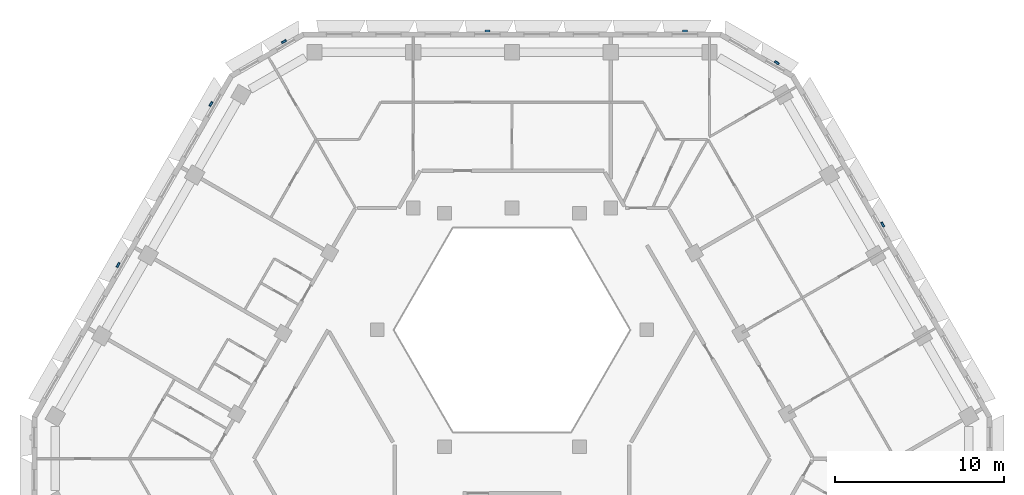
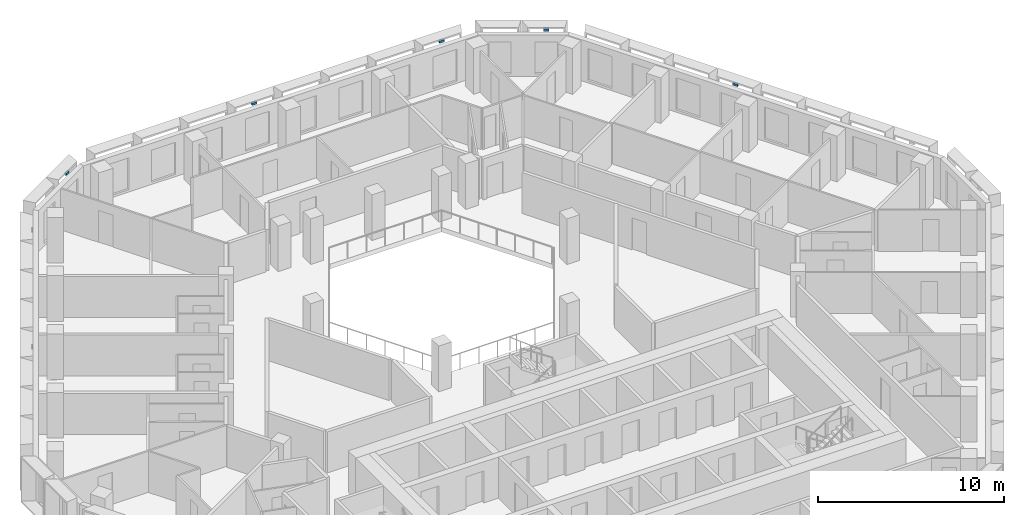
# One storey, part 11 of 17: 7 discrete accessories.
"""IFC4 building model written with IfcOpenShell, lengths in metres."""

from ifc_helpers import new_model, si_unit, direction, frame, origin, place, context, subcontext, project, spatial, polyline, outline, extrude, source, transform, mapped, material, type_object, type_shapes, element, save


model = new_model("IFC4")

# Units and contexts
model_context = context("Model", 3, precision=1e-05, world=origin(), true_north=direction((0.0, 1.0)))
body_context = subcontext(model_context, "Body", "Model", "MODEL_VIEW")
ifc_project = project(units=[si_unit("LENGTHUNIT", "METRE"), si_unit("AREAUNIT", "SQUARE_METRE"), si_unit("VOLUMEUNIT", "CUBIC_METRE"), si_unit("PLANEANGLEUNIT", "RADIAN"), si_unit("MASSUNIT", "GRAM", prefix="KILO")], contexts=[model_context])

# Site, building, storey
site_placement = place(None, origin())
site = spatial("IfcSite", under=ifc_project, at=site_placement, CompositionType="ELEMENT")
building_placement = place(site_placement, origin())
building = spatial("IfcBuilding", under=site, at=building_placement, Name="Beryl Residences", CompositionType="ELEMENT")
storey_placement = place(building_placement, frame((0.0, 0.0, 126.60009765625)))
storey = spatial("IfcBuildingStorey", under=building, at=storey_placement, Name="L38", CompositionType="ELEMENT", Elevation=126.60009765625)

# Discrete accessories
ifc_material = material(Name="Steel S355", Category="steel")
discrete_accessory_type = type_object("IfcDiscreteAccessoryType", Name="BR1 frame bracket 300 x 120 x 150 mm", PredefinedType="BRACKET", material=ifc_material)
shared_shape = source(origin(), body_context, "Body", "SweptSolid", [
    extrude(outline(polyline([(-0.14990234375, 0.0), (0.14990234375, 0.0), (0.14990234375, 0.1201171875), (-0.14990234375, 0.1201171875), (-0.14990234375, 0.0)])), origin(), (0.0, 0.0, 1.0), 0.14990234375),
])
type_shapes(discrete_accessory_type, [shared_shape])
for number, where, z_axis, x_axis, name in (
    (1, (10.2041015625, 25.60009765625, 2.75), (0.0, 0.0, 1.0), (1.0, 0.0, 0.0), "BR1 bracket L38 N 1"),
    (2, (-1.4580078125, 25.60009765625, 2.75), (0.0, 0.0, 1.0), (1.0, 0.0, 0.0), "BR1 bracket L38 N 5"),
    (3, (-13.43798828125, 24.97509765625, 2.75), (0.0, 0.0, 1.0), (0.866025403784, 0.5, 0.0), "BR1 bracket L38 N-NW 1"),
    (4, (-17.718017578125, 21.31298828125, 2.75), (0.0, 0.0, 1.0), (0.5, 0.866025403784, 0.0), "BR1 bracket L38 NW 1"),
    (5, (-23.202880859375, 11.81201171875, 2.75), (0.0, 0.0, 1.0), (0.5, 0.866025403784, 0.0), "BR1 bracket L38 NW 5"),
    (6, (21.8310546875, 14.18798828125, 2.75), (0.0, 0.0, 1.0), (0.5, -0.866025403784, 0.0), "BR1 bracket L38 NE 5"),
    (7, (15.60205078125, 23.72509765625, 2.75), (0.0, 0.0, 1.0), (0.866025403784, -0.5, 0.0), "BR1 bracket L38 NE-N 1"),
):
    element("IfcDiscreteAccessory", number, at=place(storey_placement, frame(where, z_axis=z_axis, x_axis=x_axis)), inside=storey, type_object=discrete_accessory_type, Name=name, PredefinedType="BRACKET", context=body_context, shape_type="MappedRepresentation", body=[
        mapped(shared_shape, transform((0.0, 0.0, 0.0))),
    ])

save(model, "model.ifc")
